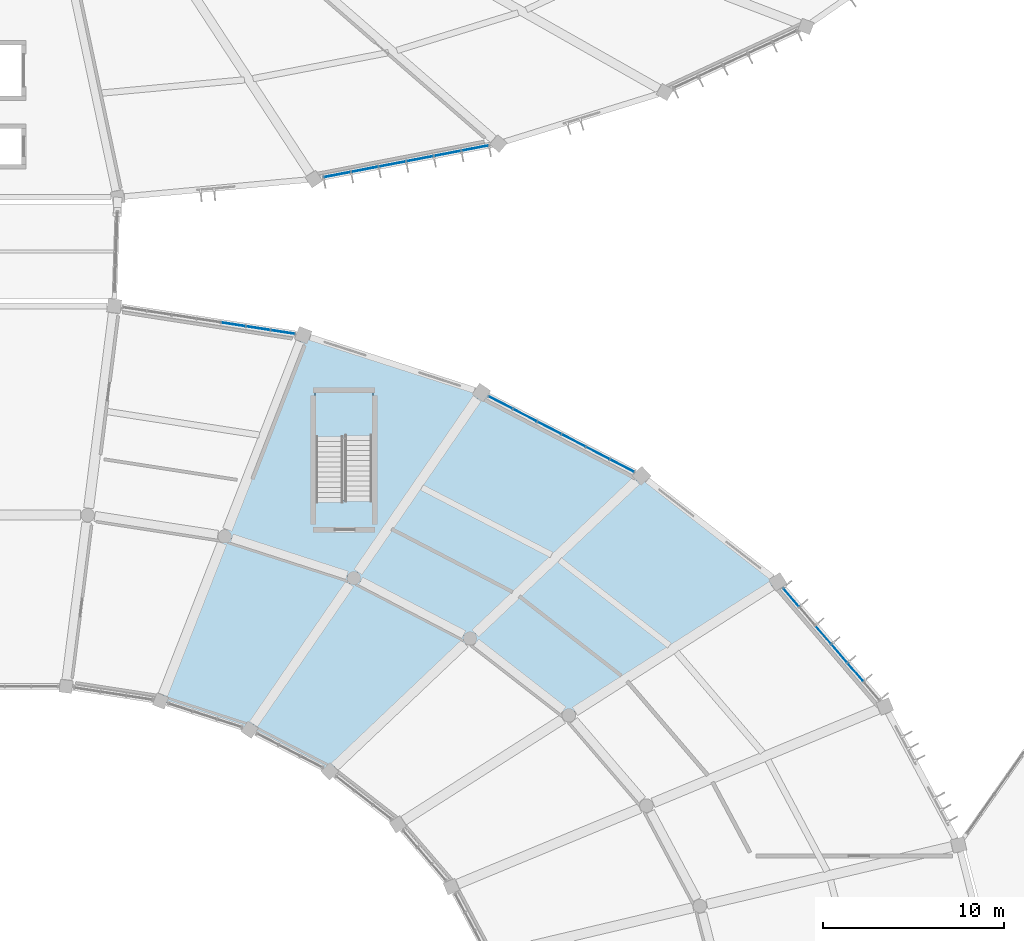
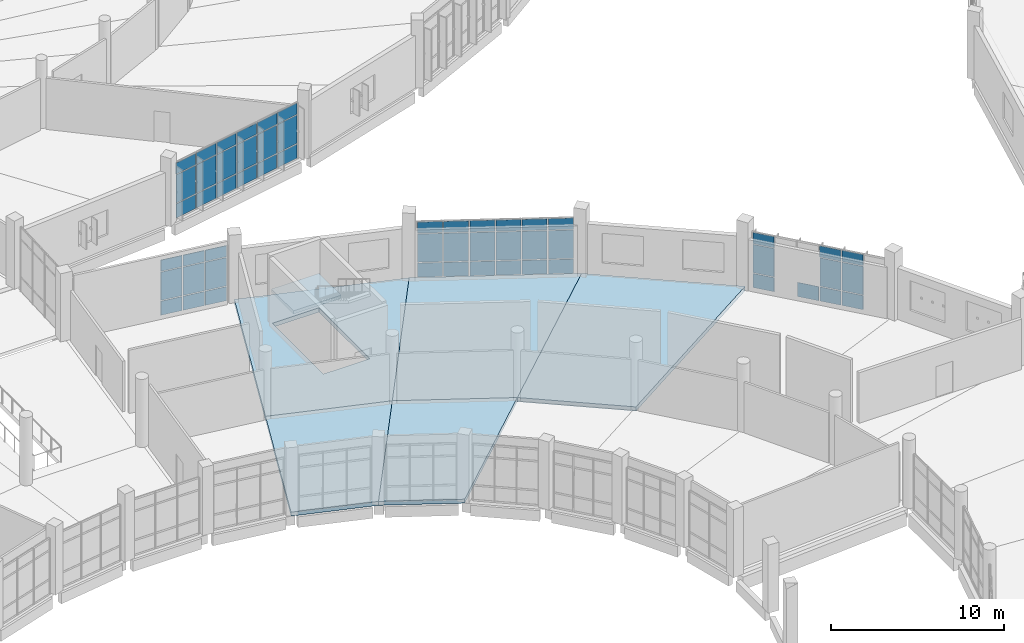
# One storey, part 103 of 179: 55 plates, 6 slabs, 5 elements without a shape of their own.
"""IFC4 building model written with IfcOpenShell, lengths in metres."""

from ifc_helpers import new_model, si_unit, direction, frame, origin, origin_2d, place, context, subcontext, project, spatial, polyline, rectangle, outline, extrude, material, layer, layer_set, type_object, element, aggregate, save


model = new_model("IFC4")

# Units and contexts
model_context = context("Model", 3, precision=1e-05, world=origin(), true_north=direction((0.0, 1.0)))
body_context = subcontext(model_context, "Body", "Model", "MODEL_VIEW")
ifc_project = project(units=[si_unit("LENGTHUNIT", "METRE"), si_unit("AREAUNIT", "SQUARE_METRE"), si_unit("VOLUMEUNIT", "CUBIC_METRE"), si_unit("PLANEANGLEUNIT", "RADIAN"), si_unit("MASSUNIT", "GRAM", prefix="KILO")], contexts=[model_context])

# Site, building, storey
site_placement = place(None, origin())
site = spatial("IfcSite", under=ifc_project, at=site_placement, CompositionType="ELEMENT")
building_placement = place(site_placement, origin())
building = spatial("IfcBuilding", under=site, at=building_placement, Name="Corvandel Quay Wholesale Market", CompositionType="ELEMENT")
storey_placement = place(building_placement, frame((0.0, 0.0, 6.0)))
storey = spatial("IfcBuildingStorey", under=building, at=storey_placement, Name="L01", CompositionType="ELEMENT", Elevation=6.0)

# Curtain wall, plates
ifc_material_1 = material(Name="Bronze anodised aluminium and low-E insulated glazing", Category="aluminium")
ifc_layer_1 = layer(ifc_material_1, 0.174072265625)
ifc_layer_set_1 = layer_set([ifc_layer_1], Name="Bronze anodised aluminium and low-E insulated glazing")
curtain_wall_type_1 = type_object("IfcCurtainWallType", Name="Stick Curtain Wall System CW07 H3630", PredefinedType="NOTDEFINED", material=ifc_layer_set_1)
curtain_wall_1_placement = place(storey_placement, origin())
curtain_wall_1 = element("IfcCurtainWall", 1, at=curtain_wall_1_placement, inside=storey, type_object=curtain_wall_type_1, Name="Curtain Wall CW-0006", PredefinedType="NOTDEFINED")
ifc_material_2 = material(Name="Solar-control low-E insulated glazing", Category="glass")
ifc_layer_2 = layer(ifc_material_2, 0.0400390625)
ifc_layer_set_2 = layer_set([ifc_layer_2], Name="Solar-control low-E insulated glazing")
plate_type_1 = type_object("IfcPlateType", Name="Ceramic Fritted Spandrel Panel PN03 40mm", PredefinedType="CURTAIN_PANEL", material=ifc_layer_set_2)
plate_1_placement = place(storey_placement, frame((160.230224609375, 63.784423828125, 3.1298828125), z_axis=(0.0, 0.0, 1.0), x_axis=(-0.651568967347, 0.758589401976, 0.0)))
plate_1 = element("IfcPlate", 2, at=plate_1_placement, type_object=plate_type_1, Name="Glazing Panel CW-0006-P01-2", PredefinedType="CURTAIN_PANEL", context=body_context, shape_type="SweptSolid", body=[
    extrude(rectangle(XDim=1.29638671875, YDim=0.0400390625, at=origin_2d()), origin(), (0.0, 0.0, 1.0), 0.7900390625),
])
plate_2_placement = place(storey_placement, frame((159.343017578125, 64.817138671875, 3.1298828125), z_axis=(0.0, 0.0, 1.0), x_axis=(-0.651568967347, 0.758589401976, 0.0)))
plate_2 = element("IfcPlate", 3, at=plate_2_placement, type_object=plate_type_1, Name="Glazing Panel CW-0006-P02-2", PredefinedType="CURTAIN_PANEL", context=body_context, shape_type="SweptSolid", body=[
    extrude(rectangle(XDim=1.29638671875, YDim=0.0400390625, at=origin_2d()), origin(), (0.0, 0.0, 1.0), 0.7900390625),
])
plate_3_placement = place(storey_placement, frame((156.681640625, 67.915283203125, 3.1298828125), z_axis=(0.0, 0.0, 1.0), x_axis=(-0.651568967347, 0.758589401976, 0.0)))
plate_3 = element("IfcPlate", 4, at=plate_3_placement, type_object=plate_type_1, Name="Glazing Panel CW-0006-P05-2", PredefinedType="CURTAIN_PANEL", context=body_context, shape_type="SweptSolid", body=[
    extrude(rectangle(XDim=1.29638671875, YDim=0.0400390625, at=origin_2d()), origin(), (0.0, 0.0, 1.0), 0.7900390625),
])

ifc_layer_3 = layer(ifc_material_1, 0.197998046875)
ifc_layer_set_3 = layer_set([ifc_layer_3], Name="Bronze anodised aluminium and low-E insulated glazing")
curtain_wall_type_2 = type_object("IfcCurtainWallType", Name="Stick Curtain Wall System CW09 H3810", PredefinedType="NOTDEFINED", material=ifc_layer_set_3)
curtain_wall_2_placement = place(storey_placement, origin())
curtain_wall_2 = element("IfcCurtainWall", 5, at=curtain_wall_2_placement, inside=storey, type_object=curtain_wall_type_2, Name="Curtain Wall CW-0013", PredefinedType="NOTDEFINED")
plate_4_placement = place(storey_placement, frame((147.353271484375, 75.179931640625, 3.1298828125), z_axis=(0.0, 0.0, 1.0), x_axis=(-0.887332978338, 0.461129250378, 0.0)))
plate_4 = element("IfcPlate", 6, at=plate_4_placement, type_object=plate_type_1, Name="Glazing Panel CW-0013-P00-2", PredefinedType="CURTAIN_PANEL", context=body_context, shape_type="SweptSolid", body=[
    extrude(rectangle(XDim=1.4462890625, YDim=0.0400390625, at=origin_2d()), origin(), (0.0, 0.0, 1.0), 0.7900390625),
])
plate_5_placement = place(storey_placement, frame((146.01220703125, 75.876708984375, 3.1298828125), z_axis=(0.0, 0.0, 1.0), x_axis=(-0.887332978338, 0.461129250378, 0.0)))
plate_5 = element("IfcPlate", 7, at=plate_5_placement, type_object=plate_type_1, Name="Glazing Panel CW-0013-P01-2", PredefinedType="CURTAIN_PANEL", context=body_context, shape_type="SweptSolid", body=[
    extrude(rectangle(XDim=1.4462890625, YDim=0.0400390625, at=origin_2d()), origin(), (0.0, 0.0, 1.0), 0.7900390625),
])
plate_6_placement = place(storey_placement, frame((144.67138671875, 76.573486328125, 3.1298828125), z_axis=(0.0, 0.0, 1.0), x_axis=(-0.887332978338, 0.461129250378, 0.0)))
plate_6 = element("IfcPlate", 8, at=plate_6_placement, type_object=plate_type_1, Name="Glazing Panel CW-0013-P02-2", PredefinedType="CURTAIN_PANEL", context=body_context, shape_type="SweptSolid", body=[
    extrude(rectangle(XDim=1.4462890625, YDim=0.0400390625, at=origin_2d()), origin(), (0.0, 0.0, 1.0), 0.7900390625),
])
plate_7_placement = place(storey_placement, frame((143.33056640625, 77.2705078125, 3.1298828125), z_axis=(0.0, 0.0, 1.0), x_axis=(-0.887332978338, 0.461129250378, 0.0)))
plate_7 = element("IfcPlate", 9, at=plate_7_placement, type_object=plate_type_1, Name="Glazing Panel CW-0013-P03-2", PredefinedType="CURTAIN_PANEL", context=body_context, shape_type="SweptSolid", body=[
    extrude(rectangle(XDim=1.4462890625, YDim=0.0400390625, at=origin_2d()), origin(), (0.0, 0.0, 1.0), 0.7900390625),
])
plate_8_placement = place(storey_placement, frame((141.989501953125, 77.96728515625, 3.1298828125), z_axis=(0.0, 0.0, 1.0), x_axis=(-0.887332978338, 0.461129250378, 0.0)))
plate_8 = element("IfcPlate", 10, at=plate_8_placement, type_object=plate_type_1, Name="Glazing Panel CW-0013-P04-2", PredefinedType="CURTAIN_PANEL", context=body_context, shape_type="SweptSolid", body=[
    extrude(rectangle(XDim=1.4462890625, YDim=0.0400390625, at=origin_2d()), origin(), (0.0, 0.0, 1.0), 0.7900390625),
])
plate_9_placement = place(storey_placement, frame((140.648681640625, 78.6640625, 3.1298828125), z_axis=(0.0, 0.0, 1.0), x_axis=(-0.887332978338, 0.461129250378, 0.0)))
plate_9 = element("IfcPlate", 11, at=plate_9_placement, type_object=plate_type_1, Name="Glazing Panel CW-0013-P05-2", PredefinedType="CURTAIN_PANEL", context=body_context, shape_type="SweptSolid", body=[
    extrude(rectangle(XDim=1.4462890625, YDim=0.0400390625, at=origin_2d()), origin(), (0.0, 0.0, 1.0), 0.7900390625),
])

ifc_layer_4 = layer(ifc_material_1, 0.162109375)
ifc_layer_set_4 = layer_set([ifc_layer_4], Name="Bronze anodised aluminium and low-E insulated glazing")
curtain_wall_type_3 = type_object("IfcCurtainWallType", Name="Stick Curtain Wall System CW11 H3990", PredefinedType="NOTDEFINED", material=ifc_layer_set_4)
curtain_wall_3_placement = place(storey_placement, origin())
curtain_wall_3 = element("IfcCurtainWall", 12, at=curtain_wall_3_placement, inside=storey, type_object=curtain_wall_type_3, Name="Curtain Wall CW-0018", PredefinedType="NOTDEFINED")
plate_10_placement = place(storey_placement, frame((128.624755859375, 82.560302734375, 3.1298828125), z_axis=(0.0, 0.0, 1.0), x_axis=(-0.98825506746, 0.152813355565, 0.0)))
plate_10 = element("IfcPlate", 13, at=plate_10_placement, type_object=plate_type_1, Name="Glazing Panel CW-0018-P00-2", PredefinedType="CURTAIN_PANEL", context=body_context, shape_type="SweptSolid", body=[
    extrude(rectangle(XDim=1.314453125, YDim=0.0400390625, at=origin_2d()), origin(), (0.0, 0.0, 1.0), 0.7900390625),
])
plate_11_placement = place(storey_placement, frame((127.261474609375, 82.771240234375, 3.1298828125), z_axis=(0.0, 0.0, 1.0), x_axis=(-0.98825506746, 0.152813355565, 0.0)))
plate_11 = element("IfcPlate", 14, at=plate_11_placement, type_object=plate_type_1, Name="Glazing Panel CW-0018-P01-2", PredefinedType="CURTAIN_PANEL", context=body_context, shape_type="SweptSolid", body=[
    extrude(rectangle(XDim=1.314453125, YDim=0.0400390625, at=origin_2d()), origin(), (0.0, 0.0, 1.0), 0.7900390625),
])
plate_12_placement = place(storey_placement, frame((125.898193359375, 82.982177734375, 3.1298828125), z_axis=(0.0, 0.0, 1.0), x_axis=(-0.98825506746, 0.152813355565, 0.0)))
plate_12 = element("IfcPlate", 15, at=plate_12_placement, type_object=plate_type_1, Name="Glazing Panel CW-0018-P02-2", PredefinedType="CURTAIN_PANEL", context=body_context, shape_type="SweptSolid", body=[
    extrude(rectangle(XDim=1.314453125, YDim=0.0400390625, at=origin_2d()), origin(), (0.0, 0.0, 1.0), 0.7900390625),
])

ifc_layer_5 = layer(ifc_material_1, 0.197998046875)
ifc_layer_set_5 = layer_set([ifc_layer_5], Name="Bronze anodised aluminium and low-E insulated glazing")
curtain_wall_type_4 = type_object("IfcCurtainWallType", Name="Stick Curtain Wall System CW04 H3360", PredefinedType="NOTDEFINED", material=ifc_layer_set_5)
curtain_wall_4_placement = place(storey_placement, origin())
curtain_wall_4 = element("IfcCurtainWall", 16, at=curtain_wall_4_placement, inside=storey, type_object=curtain_wall_type_4, Name="Curtain Wall CW-0119", PredefinedType="NOTDEFINED")
plate_13_placement = place(storey_placement, frame((131.626220703125, 91.247314453125, 3.1298828125), z_axis=(0.0, 0.0, 1.0), x_axis=(0.981991701121, 0.188924055984, 0.0)))
plate_13 = element("IfcPlate", 17, at=plate_13_placement, type_object=plate_type_1, Name="Glazing Panel CW-0119-P00-2", PredefinedType="CURTAIN_PANEL", context=body_context, shape_type="SweptSolid", body=[
    extrude(rectangle(XDim=1.484619140625, YDim=0.0400390625, at=origin_2d()), origin(), (0.0, 0.0, 1.0), 0.7900390625),
])
plate_14_placement = place(storey_placement, frame((133.14794921875, 91.5400390625, 3.1298828125), z_axis=(0.0, 0.0, 1.0), x_axis=(0.981991701121, 0.188924055984, 0.0)))
plate_14 = element("IfcPlate", 18, at=plate_14_placement, type_object=plate_type_1, Name="Glazing Panel CW-0119-P01-2", PredefinedType="CURTAIN_PANEL", context=body_context, shape_type="SweptSolid", body=[
    extrude(rectangle(XDim=1.484619140625, YDim=0.0400390625, at=origin_2d()), origin(), (0.0, 0.0, 1.0), 0.7900390625),
])
plate_15_placement = place(storey_placement, frame((134.669677734375, 91.832763671875, 3.1298828125), z_axis=(0.0, 0.0, 1.0), x_axis=(0.981991701121, 0.188924055984, 0.0)))
plate_15 = element("IfcPlate", 19, at=plate_15_placement, type_object=plate_type_1, Name="Glazing Panel CW-0119-P02-2", PredefinedType="CURTAIN_PANEL", context=body_context, shape_type="SweptSolid", body=[
    extrude(rectangle(XDim=1.484619140625, YDim=0.0400390625, at=origin_2d()), origin(), (0.0, 0.0, 1.0), 0.7900390625),
])
plate_16_placement = place(storey_placement, frame((136.19140625, 92.125244140625, 3.1298828125), z_axis=(0.0, 0.0, 1.0), x_axis=(0.981991701121, 0.188924055984, 0.0)))
plate_16 = element("IfcPlate", 20, at=plate_16_placement, type_object=plate_type_1, Name="Glazing Panel CW-0119-P03-2", PredefinedType="CURTAIN_PANEL", context=body_context, shape_type="SweptSolid", body=[
    extrude(rectangle(XDim=1.484619140625, YDim=0.0400390625, at=origin_2d()), origin(), (0.0, 0.0, 1.0), 0.7900390625),
])
plate_17_placement = place(storey_placement, frame((137.713134765625, 92.41796875, 3.1298828125), z_axis=(0.0, 0.0, 1.0), x_axis=(0.981991701121, 0.188924055984, 0.0)))
plate_17 = element("IfcPlate", 21, at=plate_17_placement, type_object=plate_type_1, Name="Glazing Panel CW-0119-P04-2", PredefinedType="CURTAIN_PANEL", context=body_context, shape_type="SweptSolid", body=[
    extrude(rectangle(XDim=1.484619140625, YDim=0.0400390625, at=origin_2d()), origin(), (0.0, 0.0, 1.0), 0.7900390625),
])
plate_18_placement = place(storey_placement, frame((139.23486328125, 92.710693359375, 3.1298828125), z_axis=(0.0, 0.0, 1.0), x_axis=(0.981991701121, 0.188924055984, 0.0)))
plate_18 = element("IfcPlate", 22, at=plate_18_placement, type_object=plate_type_1, Name="Glazing Panel CW-0119-P05-2", PredefinedType="CURTAIN_PANEL", context=body_context, shape_type="SweptSolid", body=[
    extrude(rectangle(XDim=1.484619140625, YDim=0.0400390625, at=origin_2d()), origin(), (0.0, 0.0, 1.0), 0.7900390625),
])

# Slabs
ifc_material_3 = material(Name="Concrete C40/50", Category="concrete")
ifc_layer_6 = layer(ifc_material_3, 0.280029296875)
ifc_layer_set_6 = layer_set([ifc_layer_6], Name="Concrete C40/50")
slab_type_1 = type_object("IfcSlabType", Name="Composite Sorting Gallery Floor Slab 280", PredefinedType="FLOOR", material=ifc_layer_set_6)
slab_1_placement = place(storey_placement, frame((0.0, 0.0, -0.280029296875)))
element("IfcSlab", 23, at=slab_1_placement, inside=storey, type_object=slab_type_1, Name="Slab SLB-0025", PredefinedType="FLOOR", context=body_context, shape_type="SweptSolid", body=[
    extrude(outline(polyline([(131.2109375, 58.31201171875), (126.7890625, 60.610107421875), (132.5439453125, 68.98388671875), (138.95703125, 65.652099609375), (131.2109375, 58.31201171875)])), origin(), (0.0, 0.0, 1.0), 0.280029296875),
])
slab_2_placement = place(storey_placement, frame((0.0, 0.0, -0.280029296875)))
element("IfcSlab", 24, at=slab_2_placement, inside=storey, type_object=slab_type_1, Name="Slab SLB-0030", PredefinedType="FLOOR", context=body_context, shape_type="SweptSolid", body=[
    extrude(outline(polyline([(126.7890625, 60.610107421875), (121.8759765625, 62.193115234375), (125.419921875, 71.280029296875), (132.5439453125, 68.98388671875), (126.7890625, 60.610107421875)])), origin(), (0.0, 0.0, 1.0), 0.280029296875),
])
ifc_layer_7 = layer(ifc_material_3, 0.300048828125)
ifc_layer_set_7 = layer_set([ifc_layer_7], Name="Concrete C40/50")
slab_type_2 = type_object("IfcSlabType", Name="Composite Trading Gallery Floor Slab 300", PredefinedType="FLOOR", material=ifc_layer_set_7)
slab_3_placement = place(storey_placement, frame((0.0, 0.0, -0.300048828125)))
element("IfcSlab", 25, at=slab_3_placement, inside=storey, type_object=slab_type_2, Name="Slab SLB-0019", PredefinedType="FLOOR", context=body_context, shape_type="SweptSolid", body=[
    extrude(outline(polyline([(144.409912109375, 61.410888671875), (138.95703125, 65.652099609375), (148.423095703125, 74.6240234375), (155.945068359375, 68.77294921875), (144.409912109375, 61.410888671875)])), origin(), (0.0, 0.0, 1.0), 0.300048828125),
])
slab_4_placement = place(storey_placement, frame((0.0, 0.0, -0.300048828125)))
element("IfcSlab", 26, at=slab_4_placement, inside=storey, type_object=slab_type_2, Name="Slab SLB-0024", PredefinedType="FLOOR", context=body_context, shape_type="SweptSolid", body=[
    extrude(outline(polyline([(138.95703125, 65.652099609375), (132.5439453125, 68.98388671875), (139.5791015625, 79.219970703125), (148.423095703125, 74.6240234375), (138.95703125, 65.652099609375)])), origin(), (0.0, 0.0, 1.0), 0.300048828125),
])
slab_5_placement = place(storey_placement, frame((0.0, 0.0, -0.300048828125)))
element("IfcSlab", 27, at=slab_5_placement, inside=storey, type_object=slab_type_2, Name="Slab SLB-0029", PredefinedType="FLOOR", context=body_context, shape_type="SweptSolid", body=[
    extrude(outline(polyline([(132.5439453125, 68.98388671875), (125.419921875, 71.280029296875), (129.7509765625, 82.385986328125), (139.5791015625, 79.219970703125), (132.5439453125, 68.98388671875)]), holes=[polyline([(133.550048828125, 73.300048828125), (133.550048828125, 79.199951171875), (130.449951171875, 79.199951171875), (130.449951171875, 73.300048828125), (133.550048828125, 73.300048828125)])]), origin(), (0.0, 0.0, 1.0), 0.300048828125),
])

# Plate
ifc_layer_8 = layer(ifc_material_2, 0.028076171875)
ifc_layer_set_8 = layer_set([ifc_layer_8], Name="Solar-control low-E insulated glazing")
plate_type_2 = type_object("IfcPlateType", Name="Double Low-E Vision Panel PN01 28mm", PredefinedType="CURTAIN_PANEL", material=ifc_layer_set_8)
plate_19_placement = place(storey_placement, frame((160.230224609375, 63.784423828125, 0.02978515625), z_axis=(0.0, 0.0, 1.0), x_axis=(-0.651568967347, 0.758589401976, 0.0)))
plate_19 = element("IfcPlate", 28, at=plate_19_placement, type_object=plate_type_2, Name="Glazing Panel CW-0006-P01-0", PredefinedType="CURTAIN_PANEL", context=body_context, shape_type="SweptSolid", body=[
    extrude(rectangle(XDim=1.29638671875, YDim=0.028076171875, at=origin_2d()), origin(), (0.0, 0.0, 1.0), 0.989990234375),
])

plate_20_placement = place(storey_placement, frame((160.230224609375, 63.784423828125, 1.080078125), z_axis=(0.0, 0.0, 1.0), x_axis=(-0.651568967347, 0.758589401976, 0.0)))
plate_20 = element("IfcPlate", 29, at=plate_20_placement, type_object=plate_type_2, Name="Glazing Panel CW-0006-P01-1", PredefinedType="CURTAIN_PANEL", context=body_context, shape_type="SweptSolid", body=[
    extrude(rectangle(XDim=1.29638671875, YDim=0.028076171875, at=origin_2d()), origin(), (0.0, 0.0, 1.0), 1.989990234375),
])

plate_21_placement = place(storey_placement, frame((159.343017578125, 64.817138671875, 0.02978515625), z_axis=(0.0, 0.0, 1.0), x_axis=(-0.651568967347, 0.758589401976, 0.0)))
plate_21 = element("IfcPlate", 30, at=plate_21_placement, type_object=plate_type_2, Name="Glazing Panel CW-0006-P02-0", PredefinedType="CURTAIN_PANEL", context=body_context, shape_type="SweptSolid", body=[
    extrude(rectangle(XDim=1.29638671875, YDim=0.028076171875, at=origin_2d()), origin(), (0.0, 0.0, 1.0), 0.989990234375),
])

plate_22_placement = place(storey_placement, frame((159.343017578125, 64.817138671875, 1.080078125), z_axis=(0.0, 0.0, 1.0), x_axis=(-0.651568967347, 0.758589401976, 0.0)))
plate_22 = element("IfcPlate", 31, at=plate_22_placement, type_object=plate_type_2, Name="Glazing Panel CW-0006-P02-1", PredefinedType="CURTAIN_PANEL", context=body_context, shape_type="SweptSolid", body=[
    extrude(rectangle(XDim=1.29638671875, YDim=0.028076171875, at=origin_2d()), origin(), (0.0, 0.0, 1.0), 1.989990234375),
])

plate_23_placement = place(storey_placement, frame((158.4560546875, 65.849853515625, 0.02978515625), z_axis=(0.0, 0.0, 1.0), x_axis=(-0.651568967347, 0.758589401976, 0.0)))
plate_23 = element("IfcPlate", 32, at=plate_23_placement, type_object=plate_type_2, Name="Glazing Panel CW-0006-P03-0", PredefinedType="CURTAIN_PANEL", context=body_context, shape_type="SweptSolid", body=[
    extrude(rectangle(XDim=1.29638671875, YDim=0.028076171875, at=origin_2d()), origin(), (0.0, 0.0, 1.0), 0.989990234375),
])

plate_24_placement = place(storey_placement, frame((156.681640625, 67.915283203125, 0.02978515625), z_axis=(0.0, 0.0, 1.0), x_axis=(-0.651568967347, 0.758589401976, 0.0)))
plate_24 = element("IfcPlate", 33, at=plate_24_placement, type_object=plate_type_2, Name="Glazing Panel CW-0006-P05-0", PredefinedType="CURTAIN_PANEL", context=body_context, shape_type="SweptSolid", body=[
    extrude(rectangle(XDim=1.29638671875, YDim=0.028076171875, at=origin_2d()), origin(), (0.0, 0.0, 1.0), 0.989990234375),
])

plate_25_placement = place(storey_placement, frame((156.681640625, 67.915283203125, 1.080078125), z_axis=(0.0, 0.0, 1.0), x_axis=(-0.651568967347, 0.758589401976, 0.0)))
plate_25 = element("IfcPlate", 34, at=plate_25_placement, type_object=plate_type_2, Name="Glazing Panel CW-0006-P05-1", PredefinedType="CURTAIN_PANEL", context=body_context, shape_type="SweptSolid", body=[
    extrude(rectangle(XDim=1.29638671875, YDim=0.028076171875, at=origin_2d()), origin(), (0.0, 0.0, 1.0), 1.989990234375),
])

aggregate(curtain_wall_1, [plate_19, plate_20, plate_1, plate_21, plate_22, plate_2, plate_23, plate_24, plate_25, plate_3])

plate_26_placement = place(storey_placement, frame((147.353271484375, 75.179931640625, 0.02978515625), z_axis=(0.0, 0.0, 1.0), x_axis=(-0.887332978338, 0.461129250378, 0.0)))
plate_26 = element("IfcPlate", 35, at=plate_26_placement, type_object=plate_type_2, Name="Glazing Panel CW-0013-P00-0", PredefinedType="CURTAIN_PANEL", context=body_context, shape_type="SweptSolid", body=[
    extrude(rectangle(XDim=1.4462890625, YDim=0.028076171875, at=origin_2d()), origin(), (0.0, 0.0, 1.0), 0.989990234375),
])

plate_27_placement = place(storey_placement, frame((147.353271484375, 75.179931640625, 1.080078125), z_axis=(0.0, 0.0, 1.0), x_axis=(-0.887332978338, 0.461129250378, 0.0)))
plate_27 = element("IfcPlate", 36, at=plate_27_placement, type_object=plate_type_2, Name="Glazing Panel CW-0013-P00-1", PredefinedType="CURTAIN_PANEL", context=body_context, shape_type="SweptSolid", body=[
    extrude(rectangle(XDim=1.4462890625, YDim=0.028076171875, at=origin_2d()), origin(), (0.0, 0.0, 1.0), 1.989990234375),
])

plate_28_placement = place(storey_placement, frame((146.01220703125, 75.876708984375, 0.02978515625), z_axis=(0.0, 0.0, 1.0), x_axis=(-0.887332978338, 0.461129250378, 0.0)))
plate_28 = element("IfcPlate", 37, at=plate_28_placement, type_object=plate_type_2, Name="Glazing Panel CW-0013-P01-0", PredefinedType="CURTAIN_PANEL", context=body_context, shape_type="SweptSolid", body=[
    extrude(rectangle(XDim=1.4462890625, YDim=0.028076171875, at=origin_2d()), origin(), (0.0, 0.0, 1.0), 0.989990234375),
])

plate_29_placement = place(storey_placement, frame((146.01220703125, 75.876708984375, 1.080078125), z_axis=(0.0, 0.0, 1.0), x_axis=(-0.887332978338, 0.461129250378, 0.0)))
plate_29 = element("IfcPlate", 38, at=plate_29_placement, type_object=plate_type_2, Name="Glazing Panel CW-0013-P01-1", PredefinedType="CURTAIN_PANEL", context=body_context, shape_type="SweptSolid", body=[
    extrude(rectangle(XDim=1.4462890625, YDim=0.028076171875, at=origin_2d()), origin(), (0.0, 0.0, 1.0), 1.989990234375),
])

plate_30_placement = place(storey_placement, frame((144.67138671875, 76.573486328125, 0.02978515625), z_axis=(0.0, 0.0, 1.0), x_axis=(-0.887332978338, 0.461129250378, 0.0)))
plate_30 = element("IfcPlate", 39, at=plate_30_placement, type_object=plate_type_2, Name="Glazing Panel CW-0013-P02-0", PredefinedType="CURTAIN_PANEL", context=body_context, shape_type="SweptSolid", body=[
    extrude(rectangle(XDim=1.4462890625, YDim=0.028076171875, at=origin_2d()), origin(), (0.0, 0.0, 1.0), 0.989990234375),
])

plate_31_placement = place(storey_placement, frame((144.67138671875, 76.573486328125, 1.080078125), z_axis=(0.0, 0.0, 1.0), x_axis=(-0.887332978338, 0.461129250378, 0.0)))
plate_31 = element("IfcPlate", 40, at=plate_31_placement, type_object=plate_type_2, Name="Glazing Panel CW-0013-P02-1", PredefinedType="CURTAIN_PANEL", context=body_context, shape_type="SweptSolid", body=[
    extrude(rectangle(XDim=1.4462890625, YDim=0.028076171875, at=origin_2d()), origin(), (0.0, 0.0, 1.0), 1.989990234375),
])

plate_32_placement = place(storey_placement, frame((143.33056640625, 77.2705078125, 0.02978515625), z_axis=(0.0, 0.0, 1.0), x_axis=(-0.887332978338, 0.461129250378, 0.0)))
plate_32 = element("IfcPlate", 41, at=plate_32_placement, type_object=plate_type_2, Name="Glazing Panel CW-0013-P03-0", PredefinedType="CURTAIN_PANEL", context=body_context, shape_type="SweptSolid", body=[
    extrude(rectangle(XDim=1.4462890625, YDim=0.028076171875, at=origin_2d()), origin(), (0.0, 0.0, 1.0), 0.989990234375),
])

plate_33_placement = place(storey_placement, frame((143.33056640625, 77.2705078125, 1.080078125), z_axis=(0.0, 0.0, 1.0), x_axis=(-0.887332978338, 0.461129250378, 0.0)))
plate_33 = element("IfcPlate", 42, at=plate_33_placement, type_object=plate_type_2, Name="Glazing Panel CW-0013-P03-1", PredefinedType="CURTAIN_PANEL", context=body_context, shape_type="SweptSolid", body=[
    extrude(rectangle(XDim=1.4462890625, YDim=0.028076171875, at=origin_2d()), origin(), (0.0, 0.0, 1.0), 1.989990234375),
])

plate_34_placement = place(storey_placement, frame((141.989501953125, 77.96728515625, 0.02978515625), z_axis=(0.0, 0.0, 1.0), x_axis=(-0.887332978338, 0.461129250378, 0.0)))
plate_34 = element("IfcPlate", 43, at=plate_34_placement, type_object=plate_type_2, Name="Glazing Panel CW-0013-P04-0", PredefinedType="CURTAIN_PANEL", context=body_context, shape_type="SweptSolid", body=[
    extrude(rectangle(XDim=1.4462890625, YDim=0.028076171875, at=origin_2d()), origin(), (0.0, 0.0, 1.0), 0.989990234375),
])

plate_35_placement = place(storey_placement, frame((141.989501953125, 77.96728515625, 1.080078125), z_axis=(0.0, 0.0, 1.0), x_axis=(-0.887332978338, 0.461129250378, 0.0)))
plate_35 = element("IfcPlate", 44, at=plate_35_placement, type_object=plate_type_2, Name="Glazing Panel CW-0013-P04-1", PredefinedType="CURTAIN_PANEL", context=body_context, shape_type="SweptSolid", body=[
    extrude(rectangle(XDim=1.4462890625, YDim=0.028076171875, at=origin_2d()), origin(), (0.0, 0.0, 1.0), 1.989990234375),
])

plate_36_placement = place(storey_placement, frame((140.648681640625, 78.6640625, 0.02978515625), z_axis=(0.0, 0.0, 1.0), x_axis=(-0.887332978338, 0.461129250378, 0.0)))
plate_36 = element("IfcPlate", 45, at=plate_36_placement, type_object=plate_type_2, Name="Glazing Panel CW-0013-P05-0", PredefinedType="CURTAIN_PANEL", context=body_context, shape_type="SweptSolid", body=[
    extrude(rectangle(XDim=1.4462890625, YDim=0.028076171875, at=origin_2d()), origin(), (0.0, 0.0, 1.0), 0.989990234375),
])

plate_37_placement = place(storey_placement, frame((140.648681640625, 78.6640625, 1.080078125), z_axis=(0.0, 0.0, 1.0), x_axis=(-0.887332978338, 0.461129250378, 0.0)))
plate_37 = element("IfcPlate", 46, at=plate_37_placement, type_object=plate_type_2, Name="Glazing Panel CW-0013-P05-1", PredefinedType="CURTAIN_PANEL", context=body_context, shape_type="SweptSolid", body=[
    extrude(rectangle(XDim=1.4462890625, YDim=0.028076171875, at=origin_2d()), origin(), (0.0, 0.0, 1.0), 1.989990234375),
])

aggregate(curtain_wall_2, [plate_26, plate_27, plate_4, plate_28, plate_29, plate_5, plate_30, plate_31, plate_6, plate_32, plate_33, plate_7, plate_34, plate_35, plate_8, plate_36, plate_37, plate_9])

plate_38_placement = place(storey_placement, frame((128.624755859375, 82.560302734375, 0.02978515625), z_axis=(0.0, 0.0, 1.0), x_axis=(-0.98825506746, 0.152813355565, 0.0)))
plate_38 = element("IfcPlate", 47, at=plate_38_placement, type_object=plate_type_2, Name="Glazing Panel CW-0018-P00-0", PredefinedType="CURTAIN_PANEL", context=body_context, shape_type="SweptSolid", body=[
    extrude(rectangle(XDim=1.314453125, YDim=0.028076171875, at=origin_2d()), origin(), (0.0, 0.0, 1.0), 0.989990234375),
])

plate_39_placement = place(storey_placement, frame((128.624755859375, 82.560302734375, 1.080078125), z_axis=(0.0, 0.0, 1.0), x_axis=(-0.98825506746, 0.152813355565, 0.0)))
plate_39 = element("IfcPlate", 48, at=plate_39_placement, type_object=plate_type_2, Name="Glazing Panel CW-0018-P00-1", PredefinedType="CURTAIN_PANEL", context=body_context, shape_type="SweptSolid", body=[
    extrude(rectangle(XDim=1.314453125, YDim=0.028076171875, at=origin_2d()), origin(), (0.0, 0.0, 1.0), 1.989990234375),
])

plate_40_placement = place(storey_placement, frame((127.261474609375, 82.771240234375, 0.02978515625), z_axis=(0.0, 0.0, 1.0), x_axis=(-0.98825506746, 0.152813355565, 0.0)))
plate_40 = element("IfcPlate", 49, at=plate_40_placement, type_object=plate_type_2, Name="Glazing Panel CW-0018-P01-0", PredefinedType="CURTAIN_PANEL", context=body_context, shape_type="SweptSolid", body=[
    extrude(rectangle(XDim=1.314453125, YDim=0.028076171875, at=origin_2d()), origin(), (0.0, 0.0, 1.0), 0.989990234375),
])

plate_41_placement = place(storey_placement, frame((127.261474609375, 82.771240234375, 1.080078125), z_axis=(0.0, 0.0, 1.0), x_axis=(-0.98825506746, 0.152813355565, 0.0)))
plate_41 = element("IfcPlate", 50, at=plate_41_placement, type_object=plate_type_2, Name="Glazing Panel CW-0018-P01-1", PredefinedType="CURTAIN_PANEL", context=body_context, shape_type="SweptSolid", body=[
    extrude(rectangle(XDim=1.314453125, YDim=0.028076171875, at=origin_2d()), origin(), (0.0, 0.0, 1.0), 1.989990234375),
])

plate_42_placement = place(storey_placement, frame((125.898193359375, 82.982177734375, 0.02978515625), z_axis=(0.0, 0.0, 1.0), x_axis=(-0.98825506746, 0.152813355565, 0.0)))
plate_42 = element("IfcPlate", 51, at=plate_42_placement, type_object=plate_type_2, Name="Glazing Panel CW-0018-P02-0", PredefinedType="CURTAIN_PANEL", context=body_context, shape_type="SweptSolid", body=[
    extrude(rectangle(XDim=1.314453125, YDim=0.028076171875, at=origin_2d()), origin(), (0.0, 0.0, 1.0), 0.989990234375),
])

plate_43_placement = place(storey_placement, frame((125.898193359375, 82.982177734375, 1.080078125), z_axis=(0.0, 0.0, 1.0), x_axis=(-0.98825506746, 0.152813355565, 0.0)))
plate_43 = element("IfcPlate", 52, at=plate_43_placement, type_object=plate_type_2, Name="Glazing Panel CW-0018-P02-1", PredefinedType="CURTAIN_PANEL", context=body_context, shape_type="SweptSolid", body=[
    extrude(rectangle(XDim=1.314453125, YDim=0.028076171875, at=origin_2d()), origin(), (0.0, 0.0, 1.0), 1.989990234375),
])

aggregate(curtain_wall_3, [plate_38, plate_39, plate_10, plate_40, plate_41, plate_11, plate_42, plate_43, plate_12])

plate_44_placement = place(storey_placement, frame((131.626220703125, 91.247314453125, 0.02978515625), z_axis=(0.0, 0.0, 1.0), x_axis=(0.981991701121, 0.188924055984, 0.0)))
plate_44 = element("IfcPlate", 53, at=plate_44_placement, type_object=plate_type_2, Name="Glazing Panel CW-0119-P00-0", PredefinedType="CURTAIN_PANEL", context=body_context, shape_type="SweptSolid", body=[
    extrude(rectangle(XDim=1.484619140625, YDim=0.028076171875, at=origin_2d()), origin(), (0.0, 0.0, 1.0), 0.989990234375),
])

plate_45_placement = place(storey_placement, frame((131.626220703125, 91.247314453125, 1.080078125), z_axis=(0.0, 0.0, 1.0), x_axis=(0.981991701121, 0.188924055984, 0.0)))
plate_45 = element("IfcPlate", 54, at=plate_45_placement, type_object=plate_type_2, Name="Glazing Panel CW-0119-P00-1", PredefinedType="CURTAIN_PANEL", context=body_context, shape_type="SweptSolid", body=[
    extrude(rectangle(XDim=1.484619140625, YDim=0.028076171875, at=origin_2d()), origin(), (0.0, 0.0, 1.0), 1.989990234375),
])

plate_46_placement = place(storey_placement, frame((133.14794921875, 91.5400390625, 0.02978515625), z_axis=(0.0, 0.0, 1.0), x_axis=(0.981991701121, 0.188924055984, 0.0)))
plate_46 = element("IfcPlate", 55, at=plate_46_placement, type_object=plate_type_2, Name="Glazing Panel CW-0119-P01-0", PredefinedType="CURTAIN_PANEL", context=body_context, shape_type="SweptSolid", body=[
    extrude(rectangle(XDim=1.484619140625, YDim=0.028076171875, at=origin_2d()), origin(), (0.0, 0.0, 1.0), 0.989990234375),
])

plate_47_placement = place(storey_placement, frame((133.14794921875, 91.5400390625, 1.080078125), z_axis=(0.0, 0.0, 1.0), x_axis=(0.981991701121, 0.188924055984, 0.0)))
plate_47 = element("IfcPlate", 56, at=plate_47_placement, type_object=plate_type_2, Name="Glazing Panel CW-0119-P01-1", PredefinedType="CURTAIN_PANEL", context=body_context, shape_type="SweptSolid", body=[
    extrude(rectangle(XDim=1.484619140625, YDim=0.028076171875, at=origin_2d()), origin(), (0.0, 0.0, 1.0), 1.989990234375),
])

plate_48_placement = place(storey_placement, frame((134.669677734375, 91.832763671875, 0.02978515625), z_axis=(0.0, 0.0, 1.0), x_axis=(0.981991701121, 0.188924055984, 0.0)))
plate_48 = element("IfcPlate", 57, at=plate_48_placement, type_object=plate_type_2, Name="Glazing Panel CW-0119-P02-0", PredefinedType="CURTAIN_PANEL", context=body_context, shape_type="SweptSolid", body=[
    extrude(rectangle(XDim=1.484619140625, YDim=0.028076171875, at=origin_2d()), origin(), (0.0, 0.0, 1.0), 0.989990234375),
])

plate_49_placement = place(storey_placement, frame((134.669677734375, 91.832763671875, 1.080078125), z_axis=(0.0, 0.0, 1.0), x_axis=(0.981991701121, 0.188924055984, 0.0)))
plate_49 = element("IfcPlate", 58, at=plate_49_placement, type_object=plate_type_2, Name="Glazing Panel CW-0119-P02-1", PredefinedType="CURTAIN_PANEL", context=body_context, shape_type="SweptSolid", body=[
    extrude(rectangle(XDim=1.484619140625, YDim=0.028076171875, at=origin_2d()), origin(), (0.0, 0.0, 1.0), 1.989990234375),
])

plate_50_placement = place(storey_placement, frame((136.19140625, 92.125244140625, 0.02978515625), z_axis=(0.0, 0.0, 1.0), x_axis=(0.981991701121, 0.188924055984, 0.0)))
plate_50 = element("IfcPlate", 59, at=plate_50_placement, type_object=plate_type_2, Name="Glazing Panel CW-0119-P03-0", PredefinedType="CURTAIN_PANEL", context=body_context, shape_type="SweptSolid", body=[
    extrude(rectangle(XDim=1.484619140625, YDim=0.028076171875, at=origin_2d()), origin(), (0.0, 0.0, 1.0), 0.989990234375),
])

plate_51_placement = place(storey_placement, frame((136.19140625, 92.125244140625, 1.080078125), z_axis=(0.0, 0.0, 1.0), x_axis=(0.981991701121, 0.188924055984, 0.0)))
plate_51 = element("IfcPlate", 60, at=plate_51_placement, type_object=plate_type_2, Name="Glazing Panel CW-0119-P03-1", PredefinedType="CURTAIN_PANEL", context=body_context, shape_type="SweptSolid", body=[
    extrude(rectangle(XDim=1.484619140625, YDim=0.028076171875, at=origin_2d()), origin(), (0.0, 0.0, 1.0), 1.989990234375),
])

plate_52_placement = place(storey_placement, frame((137.713134765625, 92.41796875, 0.02978515625), z_axis=(0.0, 0.0, 1.0), x_axis=(0.981991701121, 0.188924055984, 0.0)))
plate_52 = element("IfcPlate", 61, at=plate_52_placement, type_object=plate_type_2, Name="Glazing Panel CW-0119-P04-0", PredefinedType="CURTAIN_PANEL", context=body_context, shape_type="SweptSolid", body=[
    extrude(rectangle(XDim=1.484619140625, YDim=0.028076171875, at=origin_2d()), origin(), (0.0, 0.0, 1.0), 0.989990234375),
])

plate_53_placement = place(storey_placement, frame((137.713134765625, 92.41796875, 1.080078125), z_axis=(0.0, 0.0, 1.0), x_axis=(0.981991701121, 0.188924055984, 0.0)))
plate_53 = element("IfcPlate", 62, at=plate_53_placement, type_object=plate_type_2, Name="Glazing Panel CW-0119-P04-1", PredefinedType="CURTAIN_PANEL", context=body_context, shape_type="SweptSolid", body=[
    extrude(rectangle(XDim=1.484619140625, YDim=0.028076171875, at=origin_2d()), origin(), (0.0, 0.0, 1.0), 1.989990234375),
])

plate_54_placement = place(storey_placement, frame((139.23486328125, 92.710693359375, 0.02978515625), z_axis=(0.0, 0.0, 1.0), x_axis=(0.981991701121, 0.188924055984, 0.0)))
plate_54 = element("IfcPlate", 63, at=plate_54_placement, type_object=plate_type_2, Name="Glazing Panel CW-0119-P05-0", PredefinedType="CURTAIN_PANEL", context=body_context, shape_type="SweptSolid", body=[
    extrude(rectangle(XDim=1.484619140625, YDim=0.028076171875, at=origin_2d()), origin(), (0.0, 0.0, 1.0), 0.989990234375),
])

plate_55_placement = place(storey_placement, frame((139.23486328125, 92.710693359375, 1.080078125), z_axis=(0.0, 0.0, 1.0), x_axis=(0.981991701121, 0.188924055984, 0.0)))
plate_55 = element("IfcPlate", 64, at=plate_55_placement, type_object=plate_type_2, Name="Glazing Panel CW-0119-P05-1", PredefinedType="CURTAIN_PANEL", context=body_context, shape_type="SweptSolid", body=[
    extrude(rectangle(XDim=1.484619140625, YDim=0.028076171875, at=origin_2d()), origin(), (0.0, 0.0, 1.0), 1.989990234375),
])

aggregate(curtain_wall_4, [plate_44, plate_45, plate_13, plate_46, plate_47, plate_14, plate_48, plate_49, plate_15, plate_50, plate_51, plate_16, plate_52, plate_53, plate_17, plate_54, plate_55, plate_18])

# Stair, slab
stair_type = type_object("IfcStairType", Name="Exit Stair Two-Return L01-L02 ST02", PredefinedType="USERDEFINED", material=ifc_material_3)
stair_placement = place(storey_placement, origin())
stair = element("IfcStair", 65, at=stair_placement, inside=storey, type_object=stair_type, Name="Exit Stair STR-004", ObjectType="TWO_RETURN_STAIR", PredefinedType="USERDEFINED")
ifc_layer_9 = layer(ifc_material_3, 0.219970703125)
ifc_layer_set_9 = layer_set([ifc_layer_9], Name="Concrete C40/50")
slab_type_3 = type_object("IfcSlabType", Name="Precast Stair Landing LND02 220", PredefinedType="LANDING", material=ifc_layer_set_9)
slab_6_placement = place(storey_placement, frame((0.0, 0.0, 2.179931640625)))
slab_6 = element("IfcSlab", 66, at=slab_6_placement, type_object=slab_type_3, Name="Stair Landing STR-004-LND", PredefinedType="LANDING", context=body_context, shape_type="SweptSolid", body=[
    extrude(outline(polyline([(130.409912109375, 76.68994140625), (133.590087890625, 76.68994140625), (133.590087890625, 79.239990234375), (130.409912109375, 79.239990234375), (130.409912109375, 76.68994140625)])), origin(), (0.0, 0.0, 1.0), 0.219970703125),
])
aggregate(stair, [slab_6])

save(model, "model.ifc")
